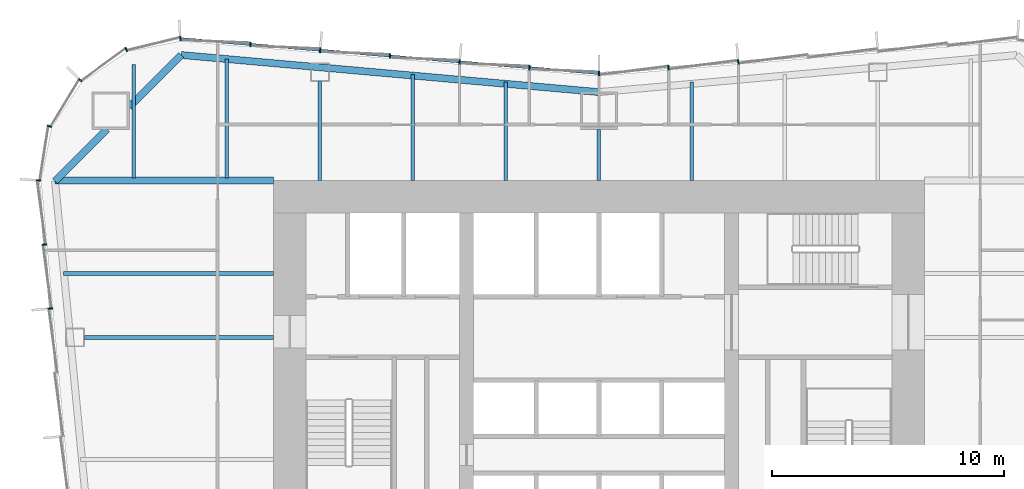
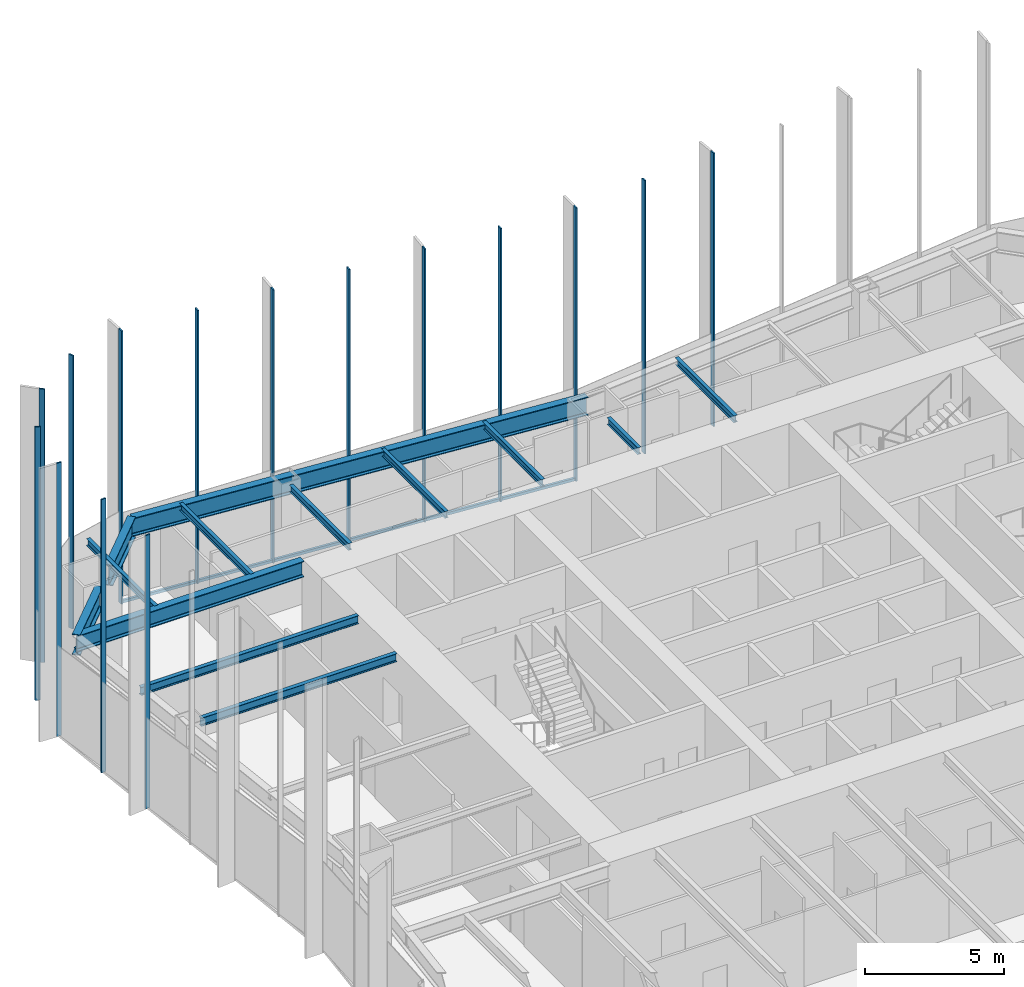
# One storey, part 6 of 13: 16 members, 13 beams, 3 elements without a shape of their own.
"""IFC4 building model written with IfcOpenShell, lengths in metres."""

from ifc_helpers import new_model, si_unit, direction, frame, origin, origin_2d, place, context, subcontext, project, spatial, rectangle, i_section, extrude, material, material_profile, profile_set, type_object, element, aggregate, save


model = new_model("IFC4")

# Units and contexts
model_context = context("Model", 3, precision=1e-05, world=origin(), true_north=direction((0.0, 1.0)))
body_context = subcontext(model_context, "Body", "Model", "MODEL_VIEW")
ifc_project = project(units=[si_unit("LENGTHUNIT", "METRE"), si_unit("AREAUNIT", "SQUARE_METRE"), si_unit("VOLUMEUNIT", "CUBIC_METRE"), si_unit("PLANEANGLEUNIT", "RADIAN"), si_unit("MASSUNIT", "GRAM", prefix="KILO")], contexts=[model_context])

# Site, building, storey
site_placement = place(None, origin())
site = spatial("IfcSite", under=ifc_project, at=site_placement, CompositionType="ELEMENT")
building_placement = place(site_placement, origin())
building = spatial("IfcBuilding", under=site, at=building_placement, Name="Verdant Reach Tower", CompositionType="ELEMENT")
storey_placement = place(building_placement, frame((0.0, 0.0, 26.0)))
storey = spatial("IfcBuildingStorey", under=building, at=storey_placement, Name="L05", CompositionType="ELEMENT", Elevation=26.0)

# Curtain wall, members
ifc_material_1 = material(Name="Anodised aluminium", Category="aluminium")
curtain_wall_type = type_object("IfcCurtainWallType", Name="EN-CW SYSTEM Z0", PredefinedType="NOTDEFINED", material=ifc_material_1)
curtain_wall_1_placement = place(storey_placement, origin())
curtain_wall_1 = element("IfcCurtainWall", 1, at=curtain_wall_1_placement, inside=storey, type_object=curtain_wall_type, Name="Curtain wall north, L05", PredefinedType="NOTDEFINED")
ifc_material_profile_1 = material_profile(ifc_material_1, rectangle(XDim=0.199951171875, YDim=0.06005859375, at=origin_2d()), Name="Mullion 60x200")
ifc_profile_set_1 = profile_set([ifc_material_profile_1], Name="Anodised aluminium")
member_type_1 = type_object("IfcMemberType", Name="EN-MULLION Z0", PredefinedType="MULLION", material=ifc_profile_set_1)
member_1_placement = place(storey_placement, frame((5.99169921875, 44.099609375, -0.35009765625), z_axis=(0.0, 0.0, 1.0), x_axis=(-0.083045479859, 0.996545758244, 0.0)))
member_1 = element("IfcMember", 2, at=member_1_placement, type_object=member_type_1, Name="Mullion north face part 1 5, L05", PredefinedType="MULLION", context=body_context, shape_type="SweptSolid", body=[
    extrude(rectangle(XDim=0.199951171875, YDim=0.06005859375, at=origin_2d()), origin(), (0.0, 0.0, 1.0), 12.0),
])
member_2_placement = place(storey_placement, frame((2.99169921875, 43.849609375, -0.35009765625), z_axis=(0.0, 0.0, 1.0), x_axis=(-0.083045479859, 0.996545758244, 0.0)))
member_2 = element("IfcMember", 3, at=member_2_placement, type_object=member_type_1, Name="Mullion north face part 1 6, L05", PredefinedType="MULLION", context=body_context, shape_type="SweptSolid", body=[
    extrude(rectangle(XDim=0.199951171875, YDim=0.06005859375, at=origin_2d()), origin(), (0.0, 0.0, 1.0), 12.0),
])
member_3_placement = place(storey_placement, frame((0.0, 43.60009765625, -0.35009765625), z_axis=(0.0, 0.0, 1.0), x_axis=(0.0, 1.0, 0.0)))
member_3 = element("IfcMember", 4, at=member_3_placement, type_object=member_type_1, Name="Mullion north face part 2 1, L05", PredefinedType="MULLION", context=body_context, shape_type="SweptSolid", body=[
    extrude(rectangle(XDim=0.199951171875, YDim=0.06005859375, at=origin_2d()), origin(), (0.0, 0.0, 1.0), 12.0),
])
member_4_placement = place(storey_placement, frame((-2.99169921875, 43.849609375, -0.35009765625), z_axis=(0.0, 0.0, 1.0), x_axis=(0.083045479859, 0.996545758244, 0.0)))
member_4 = element("IfcMember", 5, at=member_4_placement, type_object=member_type_1, Name="Mullion north face part 2 2, L05", PredefinedType="MULLION", context=body_context, shape_type="SweptSolid", body=[
    extrude(rectangle(XDim=0.199951171875, YDim=0.06005859375, at=origin_2d()), origin(), (0.0, 0.0, 1.0), 12.0),
])
member_5_placement = place(storey_placement, frame((-5.99169921875, 44.099609375, -0.35009765625), z_axis=(0.0, 0.0, 1.0), x_axis=(0.083045479859, 0.996545758244, 0.0)))
member_5 = element("IfcMember", 6, at=member_5_placement, type_object=member_type_1, Name="Mullion north face part 2 3, L05", PredefinedType="MULLION", context=body_context, shape_type="SweptSolid", body=[
    extrude(rectangle(XDim=0.199951171875, YDim=0.06005859375, at=origin_2d()), origin(), (0.0, 0.0, 1.0), 12.0),
])
member_6_placement = place(storey_placement, frame((-8.99169921875, 44.349609375, -0.35009765625), z_axis=(0.0, 0.0, 1.0), x_axis=(0.083045479859, 0.996545758244, 0.0)))
member_6 = element("IfcMember", 7, at=member_6_placement, type_object=member_type_1, Name="Mullion north face part 2 4, L05", PredefinedType="MULLION", context=body_context, shape_type="SweptSolid", body=[
    extrude(rectangle(XDim=0.199951171875, YDim=0.06005859375, at=origin_2d()), origin(), (0.0, 0.0, 1.0), 12.0),
])
member_7_placement = place(storey_placement, frame((-11.99169921875, 44.599609375, -0.35009765625), z_axis=(0.0, 0.0, 1.0), x_axis=(0.083045479859, 0.996545758244, 0.0)))
member_7 = element("IfcMember", 8, at=member_7_placement, type_object=member_type_1, Name="Mullion north face part 2 5, L05", PredefinedType="MULLION", context=body_context, shape_type="SweptSolid", body=[
    extrude(rectangle(XDim=0.199951171875, YDim=0.06005859375, at=origin_2d()), origin(), (0.0, 0.0, 1.0), 12.0),
])
member_8_placement = place(storey_placement, frame((-14.99169921875, 44.849609375, -0.35009765625), z_axis=(0.0, 0.0, 1.0), x_axis=(0.083045479859, 0.996545758244, 0.0)))
member_8 = element("IfcMember", 9, at=member_8_placement, type_object=member_type_1, Name="Mullion north face part 2 6, L05", PredefinedType="MULLION", context=body_context, shape_type="SweptSolid", body=[
    extrude(rectangle(XDim=0.199951171875, YDim=0.06005859375, at=origin_2d()), origin(), (0.0, 0.0, 1.0), 12.0),
])

curtain_wall_2_placement = place(storey_placement, origin())
curtain_wall_2 = element("IfcCurtainWall", 10, at=curtain_wall_2_placement, inside=storey, type_object=curtain_wall_type, Name="Curtain wall north-west corner, L05", PredefinedType="NOTDEFINED")
member_9_placement = place(storey_placement, frame((-18.005615234375, 45.099853515625, -0.35009765625), z_axis=(0.0, 0.0, 1.0), x_axis=(-0.056569187765, 0.998398681387, 0.0)))
member_9 = element("IfcMember", 11, at=member_9_placement, type_object=member_type_1, Name="Mullion north-west corner 1, L05", PredefinedType="MULLION", context=body_context, shape_type="SweptSolid", body=[
    extrude(rectangle(XDim=0.199951171875, YDim=0.06005859375, at=origin_2d()), origin(), (0.0, 0.0, 1.0), 12.0),
])
member_10_placement = place(storey_placement, frame((-20.33447265625, 44.6357421875, -0.35009765625), z_axis=(0.0, 0.0, 1.0), x_axis=(-0.382693853776, 0.923875215753, 0.0)))
member_10 = element("IfcMember", 12, at=member_10_placement, type_object=member_type_1, Name="Mullion north-west corner 2, L05", PredefinedType="MULLION", context=body_context, shape_type="SweptSolid", body=[
    extrude(rectangle(XDim=0.199951171875, YDim=0.06005859375, at=origin_2d()), origin(), (0.0, 0.0, 1.0), 12.0),
])
member_11_placement = place(storey_placement, frame((-22.313232421875, 43.313232421875, -0.35009765625), z_axis=(0.0, 0.0, 1.0), x_axis=(-0.707106781187, 0.707106781187, 0.0)))
member_11 = element("IfcMember", 13, at=member_11_placement, type_object=member_type_1, Name="Mullion north-west corner 3, L05", PredefinedType="MULLION", context=body_context, shape_type="SweptSolid", body=[
    extrude(rectangle(XDim=0.199951171875, YDim=0.06005859375, at=origin_2d()), origin(), (0.0, 0.0, 1.0), 12.0),
])
member_12_placement = place(storey_placement, frame((-23.6357421875, 41.33447265625, -0.35009765625), z_axis=(0.0, 0.0, 1.0), x_axis=(-0.923875215753, 0.382693853776, 0.0)))
member_12 = element("IfcMember", 14, at=member_12_placement, type_object=member_type_1, Name="Mullion north-west corner 4, L05", PredefinedType="MULLION", context=body_context, shape_type="SweptSolid", body=[
    extrude(rectangle(XDim=0.199951171875, YDim=0.06005859375, at=origin_2d()), origin(), (0.0, 0.0, 1.0), 12.0),
])
aggregate(curtain_wall_2, [member_9, member_10, member_11, member_12])

curtain_wall_3_placement = place(storey_placement, origin())
curtain_wall_3 = element("IfcCurtainWall", 15, at=curtain_wall_3_placement, inside=storey, type_object=curtain_wall_type, Name="Curtain wall west, L05", PredefinedType="NOTDEFINED")
member_13_placement = place(storey_placement, frame((-24.099853515625, 39.00537109375, -0.35009765625), z_axis=(0.0, 0.0, 1.0), x_axis=(-0.998604288049, 0.052815489107, 0.0)))
member_13 = element("IfcMember", 16, at=member_13_placement, type_object=member_type_1, Name="Mullion west face part 1 1, L05", PredefinedType="MULLION", context=body_context, shape_type="SweptSolid", body=[
    extrude(rectangle(XDim=0.199951171875, YDim=0.06005859375, at=origin_2d()), origin(), (0.0, 0.0, 1.0), 12.0),
])
member_14_placement = place(storey_placement, frame((-23.849609375, 36.240966796875, -0.35009765625), z_axis=(0.0, 0.0, 1.0), x_axis=(-0.995893206467, -0.090535746047, 0.0)))
member_14 = element("IfcMember", 17, at=member_14_placement, type_object=member_type_1, Name="Mullion west face part 1 2, L05", PredefinedType="MULLION", context=body_context, shape_type="SweptSolid", body=[
    extrude(rectangle(XDim=0.199951171875, YDim=0.06005859375, at=origin_2d()), origin(), (0.0, 0.0, 1.0), 12.0),
])
member_15_placement = place(storey_placement, frame((-23.599609375, 33.490966796875, -0.35009765625), z_axis=(0.0, 0.0, 1.0), x_axis=(-0.995893206467, -0.090535746047, 0.0)))
member_15 = element("IfcMember", 18, at=member_15_placement, type_object=member_type_1, Name="Mullion west face part 1 3, L05", PredefinedType="MULLION", context=body_context, shape_type="SweptSolid", body=[
    extrude(rectangle(XDim=0.199951171875, YDim=0.06005859375, at=origin_2d()), origin(), (0.0, 0.0, 1.0), 12.0),
])
aggregate(curtain_wall_3, [member_13, member_14, member_15])

# Member
ifc_material_profile_2 = material_profile(ifc_material_1, rectangle(XDim=0.10009765625, YDim=0.1201171875, at=origin_2d()), Name="Transom 120x100")
ifc_profile_set_2 = profile_set([ifc_material_profile_2], Name="Anodised aluminium")
member_type_2 = type_object("IfcMemberType", Name="EN-TRANSOM Z0", PredefinedType="USERDEFINED", material=ifc_profile_set_2)
member_16_placement = place(storey_placement, frame((-0.02978515625, 43.6025390625, -0.2900390625), z_axis=(-0.996548656072, 0.083010698588, 0.0), x_axis=(-0.083010698588, -0.996548656072, 0.0)))
member_16 = element("IfcMember", 19, at=member_16_placement, type_object=member_type_2, Name="Transom north face part 2 1.1, L05", ObjectType="TRANSOM", PredefinedType="USERDEFINED", context=body_context, shape_type="SweptSolid", body=[
    extrude(rectangle(XDim=0.10009765625, YDim=0.1201171875, at=origin_2d()), origin(), (0.0, 0.0, 1.0), 18.00830078125),
])

aggregate(curtain_wall_1, [member_1, member_2, member_3, member_4, member_5, member_6, member_7, member_8, member_16])

# Beams
ifc_material_2 = material(Name="Steel S355", Category="steel")
ifc_material_profile_3 = material_profile(ifc_material_2, i_section(OverallWidth=0.300048828125, OverallDepth=0.699951171875, WebThickness=0.01708984375, FlangeThickness=0.031982421875, FilletRadius=0.027099609375, at=origin_2d()), Name="HEB 700")
ifc_profile_set_3 = profile_set([ifc_material_profile_3], Name="Steel S355")
beam_type_1 = type_object("IfcBeamType", Name="ST-BEAM-HEB700", PredefinedType="BEAM", material=ifc_profile_set_3)
beam_1_placement = place(storey_placement, frame((-14.0, 39.0, 3.52001953125), z_axis=(-1.0, 0.0, 0.0), x_axis=(0.0, -1.0, 0.0)))
element("IfcBeam", 20, at=beam_1_placement, inside=storey, type_object=beam_type_1, Name="Trimmer beam, L05", PredefinedType="BEAM", context=body_context, shape_type="SweptSolid", body=[
    extrude(i_section(OverallWidth=0.300048828125, OverallDepth=0.699951171875, WebThickness=0.01708984375, FlangeThickness=0.031982421875, FilletRadius=0.027099609375, at=origin_2d()), origin(), (0.0, 0.0, 1.0), 9.38818359375),
])
ifc_material_profile_4 = material_profile(ifc_material_2, i_section(OverallWidth=0.14990234375, OverallDepth=0.300048828125, WebThickness=0.007080078125, FlangeThickness=0.0107421875, FilletRadius=0.014892578125, at=origin_2d()), Name="IPE 300")
ifc_profile_set_4 = profile_set([ifc_material_profile_4], Name="Steel S355")
beam_type_2 = type_object("IfcBeamType", Name="ST-JOIST-IPE300", PredefinedType="JOIST", material=ifc_profile_set_4)
beam_2_placement = place(storey_placement, frame((-20.0, 39.10009765625, 3.719970703125), z_axis=(0.0, 1.0, 0.0), x_axis=(-1.0, 0.0, 0.0)))
element("IfcBeam", 21, at=beam_2_placement, inside=storey, type_object=beam_type_2, Name="Floor joist, L05", PredefinedType="JOIST", context=body_context, shape_type="SweptSolid", body=[
    extrude(i_section(OverallWidth=0.14990234375, OverallDepth=0.300048828125, WebThickness=0.007080078125, FlangeThickness=0.0107421875, FilletRadius=0.014892578125, at=origin_2d()), origin(), (0.0, 0.0, 1.0), 4.890380859375),
])
beam_3_placement = place(storey_placement, frame((-16.0, 39.10009765625, 3.719970703125), z_axis=(0.0, 1.0, 0.0), x_axis=(-1.0, 0.0, 0.0)))
element("IfcBeam", 22, at=beam_3_placement, inside=storey, type_object=beam_type_2, Name="Floor joist, L05", PredefinedType="JOIST", context=body_context, shape_type="SweptSolid", body=[
    extrude(i_section(OverallWidth=0.14990234375, OverallDepth=0.300048828125, WebThickness=0.007080078125, FlangeThickness=0.0107421875, FilletRadius=0.014892578125, at=origin_2d()), origin(), (0.0, 0.0, 1.0), 5.131103515625),
])
beam_4_placement = place(storey_placement, frame((-12.0, 39.0, 3.719970703125), z_axis=(0.0, 1.0, 0.0), x_axis=(-1.0, 0.0, 0.0)))
element("IfcBeam", 23, at=beam_4_placement, inside=storey, type_object=beam_type_2, Name="Floor joist, L05", PredefinedType="JOIST", context=body_context, shape_type="SweptSolid", body=[
    extrude(i_section(OverallWidth=0.14990234375, OverallDepth=0.300048828125, WebThickness=0.007080078125, FlangeThickness=0.0107421875, FilletRadius=0.014892578125, at=origin_2d()), origin(), (0.0, 0.0, 1.0), 4.25),
])
beam_5_placement = place(storey_placement, frame((-8.0, 39.0, 3.719970703125), z_axis=(0.0, 1.0, 0.0), x_axis=(-1.0, 0.0, 0.0)))
element("IfcBeam", 24, at=beam_5_placement, inside=storey, type_object=beam_type_2, Name="Floor joist, L05", PredefinedType="JOIST", context=body_context, shape_type="SweptSolid", body=[
    extrude(i_section(OverallWidth=0.14990234375, OverallDepth=0.300048828125, WebThickness=0.007080078125, FlangeThickness=0.0107421875, FilletRadius=0.014892578125, at=origin_2d()), origin(), (0.0, 0.0, 1.0), 4.564697265625),
])
beam_6_placement = place(storey_placement, frame((-4.0, 39.0, 3.719970703125), z_axis=(0.0, 1.0, 0.0), x_axis=(-1.0, 0.0, 0.0)))
element("IfcBeam", 25, at=beam_6_placement, inside=storey, type_object=beam_type_2, Name="Floor joist, L05", PredefinedType="JOIST", context=body_context, shape_type="SweptSolid", body=[
    extrude(i_section(OverallWidth=0.14990234375, OverallDepth=0.300048828125, WebThickness=0.007080078125, FlangeThickness=0.0107421875, FilletRadius=0.014892578125, at=origin_2d()), origin(), (0.0, 0.0, 1.0), 4.231201171875),
])
beam_7_placement = place(storey_placement, frame((0.0, 39.0, 3.719970703125), z_axis=(0.0, 1.0, 0.0), x_axis=(-1.0, 0.0, 0.0)))
element("IfcBeam", 26, at=beam_7_placement, inside=storey, type_object=beam_type_2, Name="Floor joist, L05", PredefinedType="JOIST", context=body_context, shape_type="SweptSolid", body=[
    extrude(i_section(OverallWidth=0.14990234375, OverallDepth=0.300048828125, WebThickness=0.007080078125, FlangeThickness=0.0107421875, FilletRadius=0.014892578125, at=origin_2d()), origin(), (0.0, 0.0, 1.0), 2.199951171875),
])
beam_8_placement = place(storey_placement, frame((4.0, 39.0, 3.719970703125), z_axis=(0.0, 1.0, 0.0), x_axis=(-1.0, 0.0, 0.0)))
element("IfcBeam", 27, at=beam_8_placement, inside=storey, type_object=beam_type_2, Name="Floor joist, L05", PredefinedType="JOIST", context=body_context, shape_type="SweptSolid", body=[
    extrude(i_section(OverallWidth=0.14990234375, OverallDepth=0.300048828125, WebThickness=0.007080078125, FlangeThickness=0.0107421875, FilletRadius=0.014892578125, at=origin_2d()), origin(), (0.0, 0.0, 1.0), 4.231201171875),
])
ifc_material_profile_5 = material_profile(ifc_material_2, i_section(OverallWidth=0.169921875, OverallDepth=0.360107421875, WebThickness=0.008056640625, FlangeThickness=0.0126953125, FilletRadius=0.01806640625, at=origin_2d()), Name="IPE 360")
ifc_profile_set_5 = profile_set([ifc_material_profile_5], Name="Steel S355")
beam_type_3 = type_object("IfcBeamType", Name="ST-JOIST-IPE360", PredefinedType="JOIST", material=ifc_profile_set_5)
beam_9_placement = place(storey_placement, frame((-14.0, 32.25, 3.68994140625), z_axis=(-1.0, 0.0, 0.0), x_axis=(0.0, -1.0, 0.0)))
element("IfcBeam", 28, at=beam_9_placement, inside=storey, type_object=beam_type_3, Name="Floor joist, L05", PredefinedType="JOIST", context=body_context, shape_type="SweptSolid", body=[
    extrude(i_section(OverallWidth=0.169921875, OverallDepth=0.360107421875, WebThickness=0.008056640625, FlangeThickness=0.0126953125, FilletRadius=0.01806640625, at=origin_2d()), origin(), (0.0, 0.0, 1.0), 8.136474609375),
])
beam_10_placement = place(storey_placement, frame((-14.0, 35.0, 3.68994140625), z_axis=(-1.0, 0.0, 0.0), x_axis=(0.0, -1.0, 0.0)))
element("IfcBeam", 29, at=beam_10_placement, inside=storey, type_object=beam_type_3, Name="Floor joist, L05", PredefinedType="JOIST", context=body_context, shape_type="SweptSolid", body=[
    extrude(i_section(OverallWidth=0.169921875, OverallDepth=0.360107421875, WebThickness=0.008056640625, FlangeThickness=0.0126953125, FilletRadius=0.01806640625, at=origin_2d()), origin(), (0.0, 0.0, 1.0), 9.033935546875),
])
ifc_material_profile_6 = material_profile(ifc_material_2, i_section(OverallWidth=0.300048828125, OverallDepth=0.800048828125, WebThickness=0.017578125, FlangeThickness=0.032958984375, FilletRadius=0.030029296875, at=origin_2d()), Name="HEB 800")
ifc_profile_set_6 = profile_set([ifc_material_profile_6], Name="Steel S355")
beam_type_4 = type_object("IfcBeamType", Name="ST-SPANDREL-HEB800", PredefinedType="SPANDREL", material=ifc_profile_set_6)
beam_11_placement = place(storey_placement, frame((-17.9658203125, 44.39501953125, 3.469970703125), z_axis=(0.996082370463, -0.088430262084, 0.0), x_axis=(0.088430262084, 0.996082370463, 0.0)))
element("IfcBeam", 30, at=beam_11_placement, inside=storey, type_object=beam_type_4, Name="Edge beam, L05", PredefinedType="SPANDREL", context=body_context, shape_type="SweptSolid", body=[
    extrude(i_section(OverallWidth=0.300048828125, OverallDepth=0.800048828125, WebThickness=0.017578125, FlangeThickness=0.032958984375, FilletRadius=0.030029296875, at=origin_2d()), origin(), (0.0, 0.0, 1.0), 18.036376953125),
])
ifc_material_profile_7 = material_profile(ifc_material_2, i_section(OverallWidth=0.302001953125, OverallDepth=0.909912109375, WebThickness=0.02099609375, FlangeThickness=0.0400390625, FilletRadius=0.030029296875, at=origin_2d()), Name="HEM 900")
ifc_profile_set_7 = profile_set([ifc_material_profile_7], Name="Steel S355")
beam_type_5 = type_object("IfcBeamType", Name="ST-SPANDREL-HEM900", PredefinedType="SPANDREL", material=ifc_profile_set_7)
beam_12_placement = place(storey_placement, frame((-23.39453125, 38.968017578125, 3.4150390625), z_axis=(0.70722277322, 0.706990770123, 0.0), x_axis=(-0.706990770123, 0.70722277322, 0.0)))
element("IfcBeam", 31, at=beam_12_placement, inside=storey, type_object=beam_type_5, Name="Edge beam, L05", PredefinedType="SPANDREL", context=body_context, shape_type="SweptSolid", body=[
    extrude(i_section(OverallWidth=0.302001953125, OverallDepth=0.909912109375, WebThickness=0.02099609375, FlangeThickness=0.0400390625, FilletRadius=0.030029296875, at=origin_2d()), origin(), (0.0, 0.0, 1.0), 3.156982421875),
])
beam_13_placement = place(storey_placement, frame((-20.199951171875, 42.16162109375, 3.4150390625), z_axis=(0.707222697162, 0.706990846206, 0.0), x_axis=(-0.706990846206, 0.707222697162, 0.0)))
element("IfcBeam", 32, at=beam_13_placement, inside=storey, type_object=beam_type_5, Name="Edge beam, L05", PredefinedType="SPANDREL", context=body_context, shape_type="SweptSolid", body=[
    extrude(i_section(OverallWidth=0.302001953125, OverallDepth=0.909912109375, WebThickness=0.02099609375, FlangeThickness=0.0400390625, FilletRadius=0.030029296875, at=origin_2d()), origin(), (0.0, 0.0, 1.0), 3.158935546875),
])

save(model, "model.ifc")
